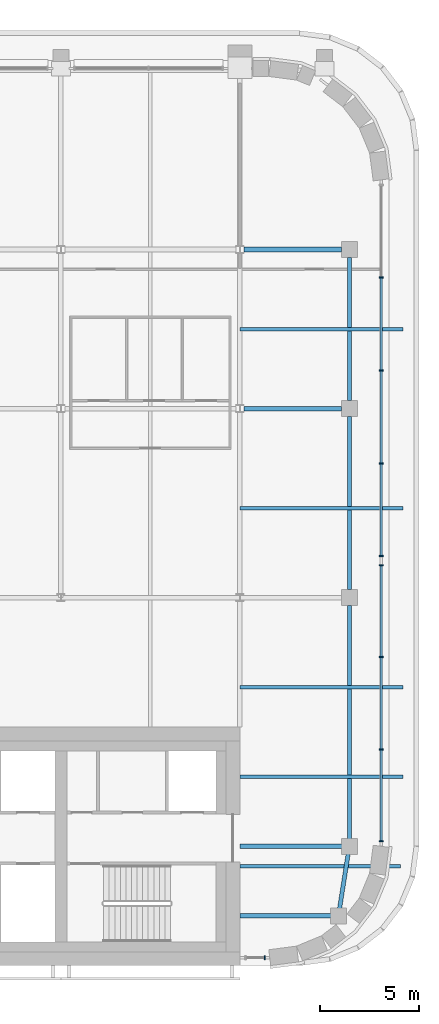
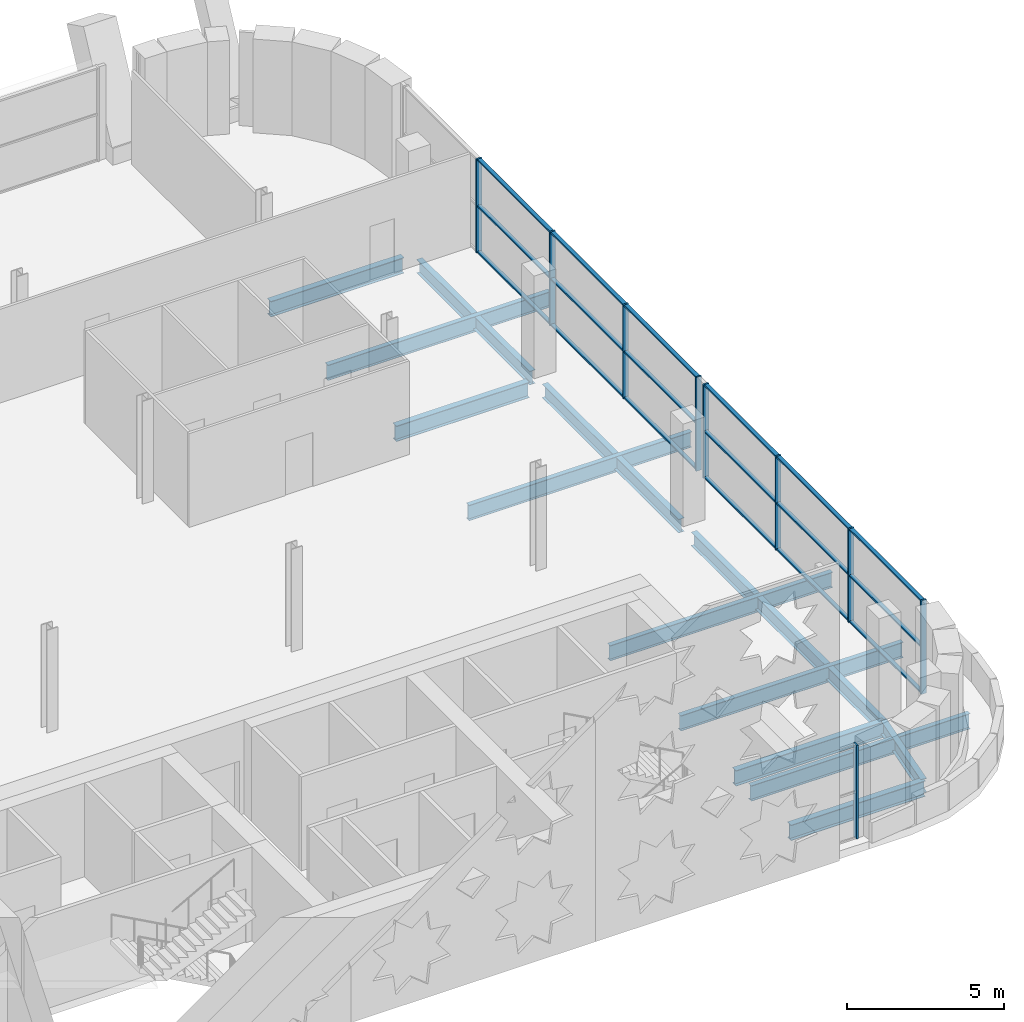
# One storey, part 12 of 25: 27 members, 13 beams, 3 elements without a shape of their own.
"""IFC4 building model written with IfcOpenShell, lengths in metres."""

from ifc_helpers import new_model, si_unit, direction, frame, origin, origin_2d, place, context, subcontext, project, spatial, rectangle, i_section, extrude, material, material_profile, profile_set, type_object, element, aggregate, save


model = new_model("IFC4")

# Units and contexts
model_context = context("Model", 3, precision=1e-05, world=origin(), true_north=direction((0.0, 1.0)))
body_context = subcontext(model_context, "Body", "Model", "MODEL_VIEW")
ifc_project = project(units=[si_unit("LENGTHUNIT", "METRE"), si_unit("AREAUNIT", "SQUARE_METRE"), si_unit("VOLUMEUNIT", "CUBIC_METRE"), si_unit("PLANEANGLEUNIT", "RADIAN"), si_unit("MASSUNIT", "GRAM", prefix="KILO")], contexts=[model_context])

# Site, building, storey
site_placement = place(None, origin())
site = spatial("IfcSite", under=ifc_project, at=site_placement, CompositionType="ELEMENT")
building_placement = place(site_placement, origin())
building = spatial("IfcBuilding", under=site, at=building_placement, Name="Zellij Exchange Tower", CompositionType="ELEMENT")
storey_placement = place(building_placement, frame((0.0, 0.0, 264.5)))
storey = spatial("IfcBuildingStorey", under=building, at=storey_placement, Name="L62", CompositionType="ELEMENT", Elevation=264.5)

# Curtain wall, member
ifc_material_1 = material(Name="Aluminium frame, clear insulating glass", Category="aluminium")
curtain_wall_type = type_object("IfcCurtainWallType", Name="ENV-CW6 Sky-lobby glazing", PredefinedType="NOTDEFINED", material=ifc_material_1)
curtain_wall_1_placement = place(storey_placement, origin())
curtain_wall_1 = element("IfcCurtainWall", 1, at=curtain_wall_1_placement, inside=storey, type_object=curtain_wall_type, Name="cw.L62.00b", PredefinedType="NOTDEFINED")
ifc_material_2 = material(Name="Aluminium", Category="aluminium")
ifc_material_profile_1 = material_profile(ifc_material_2, rectangle(XDim=0.06005859375, YDim=0.199951171875, at=origin_2d()), Name="AL 60x200")
ifc_profile_set_1 = profile_set([ifc_material_profile_1], Name="Aluminium")
member_type_1 = type_object("IfcMemberType", Name="ENV-CW6M Mullion 60x200", PredefinedType="MULLION", material=ifc_profile_set_1)
member_1_placement = place(storey_placement, frame((28.243896484375, -13.60009765625, 0.0), z_axis=(0.0, 0.0, 1.0), x_axis=(1.0, 0.0, 0.0)))
member_1 = element("IfcMember", 2, at=member_1_placement, type_object=member_type_1, Name="CW6 mullion 2", PredefinedType="MULLION", context=body_context, shape_type="SweptSolid", body=[
    extrude(rectangle(XDim=0.06005859375, YDim=0.199951171875, at=origin_2d()), origin(), (0.0, 0.0, 1.0), 3.64990234375),
])
aggregate(curtain_wall_1, [member_1])

# Curtain wall, members
curtain_wall_2_placement = place(storey_placement, origin())
curtain_wall_2 = element("IfcCurtainWall", 3, at=curtain_wall_2_placement, inside=storey, type_object=curtain_wall_type, Name="cw.L62.07a", PredefinedType="NOTDEFINED")
member_2_placement = place(storey_placement, frame((34.10009765625, -7.743896484375, 0.0), z_axis=(0.0, 0.0, 1.0), x_axis=(0.0, 1.0, 0.0)))
member_2 = element("IfcMember", 4, at=member_2_placement, type_object=member_type_1, Name="CW6 mullion 1", PredefinedType="MULLION", context=body_context, shape_type="SweptSolid", body=[
    extrude(rectangle(XDim=0.06005859375, YDim=0.199951171875, at=origin_2d()), origin(), (0.0, 0.0, 1.0), 3.64990234375),
])
member_3_placement = place(storey_placement, frame((34.10009765625, -3.12890625, 0.0), z_axis=(0.0, 0.0, 1.0), x_axis=(0.0, 1.0, 0.0)))
member_3 = element("IfcMember", 5, at=member_3_placement, type_object=member_type_1, Name="CW6 mullion 2", PredefinedType="MULLION", context=body_context, shape_type="SweptSolid", body=[
    extrude(rectangle(XDim=0.06005859375, YDim=0.199951171875, at=origin_2d()), origin(), (0.0, 0.0, 1.0), 3.64990234375),
])
member_4_placement = place(storey_placement, frame((34.10009765625, 1.51611328125, 0.0), z_axis=(0.0, 0.0, 1.0), x_axis=(0.0, 1.0, 0.0)))
member_4 = element("IfcMember", 6, at=member_4_placement, type_object=member_type_1, Name="CW6 mullion 3", PredefinedType="MULLION", context=body_context, shape_type="SweptSolid", body=[
    extrude(rectangle(XDim=0.06005859375, YDim=0.199951171875, at=origin_2d()), origin(), (0.0, 0.0, 1.0), 3.64990234375),
])
member_5_placement = place(storey_placement, frame((34.10009765625, 6.130859375, 0.0), z_axis=(0.0, 0.0, 1.0), x_axis=(0.0, 1.0, 0.0)))
member_5 = element("IfcMember", 7, at=member_5_placement, type_object=member_type_1, Name="CW6 mullion 4", PredefinedType="MULLION", context=body_context, shape_type="SweptSolid", body=[
    extrude(rectangle(XDim=0.06005859375, YDim=0.199951171875, at=origin_2d()), origin(), (0.0, 0.0, 1.0), 3.64990234375),
])

curtain_wall_3_placement = place(storey_placement, origin())
curtain_wall_3 = element("IfcCurtainWall", 8, at=curtain_wall_3_placement, inside=storey, type_object=curtain_wall_type, Name="cw.L62.07b", PredefinedType="NOTDEFINED")
member_6_placement = place(storey_placement, frame((34.10009765625, 6.5908203125, 0.0), z_axis=(0.0, 0.0, 1.0), x_axis=(0.0, 1.0, 0.0)))
member_6 = element("IfcMember", 9, at=member_6_placement, type_object=member_type_1, Name="CW6 mullion 1", PredefinedType="MULLION", context=body_context, shape_type="SweptSolid", body=[
    extrude(rectangle(XDim=0.06005859375, YDim=0.199951171875, at=origin_2d()), origin(), (0.0, 0.0, 1.0), 3.64990234375),
])
member_7_placement = place(storey_placement, frame((34.10009765625, 11.239013671875, 0.0), z_axis=(0.0, 0.0, 1.0), x_axis=(0.0, 1.0, 0.0)))
member_7 = element("IfcMember", 10, at=member_7_placement, type_object=member_type_1, Name="CW6 mullion 2", PredefinedType="MULLION", context=body_context, shape_type="SweptSolid", body=[
    extrude(rectangle(XDim=0.06005859375, YDim=0.199951171875, at=origin_2d()), origin(), (0.0, 0.0, 1.0), 3.64990234375),
])
member_8_placement = place(storey_placement, frame((34.10009765625, 15.917236328125, 0.0), z_axis=(0.0, 0.0, 1.0), x_axis=(0.0, 1.0, 0.0)))
member_8 = element("IfcMember", 11, at=member_8_placement, type_object=member_type_1, Name="CW6 mullion 3", PredefinedType="MULLION", context=body_context, shape_type="SweptSolid", body=[
    extrude(rectangle(XDim=0.06005859375, YDim=0.199951171875, at=origin_2d()), origin(), (0.0, 0.0, 1.0), 3.64990234375),
])
member_9_placement = place(storey_placement, frame((34.10009765625, 20.595458984375, 0.0), z_axis=(0.0, 0.0, 1.0), x_axis=(0.0, 1.0, 0.0)))
member_9 = element("IfcMember", 12, at=member_9_placement, type_object=member_type_1, Name="CW6 mullion 4", PredefinedType="MULLION", context=body_context, shape_type="SweptSolid", body=[
    extrude(rectangle(XDim=0.06005859375, YDim=0.199951171875, at=origin_2d()), origin(), (0.0, 0.0, 1.0), 3.64990234375),
])

# Member
ifc_material_profile_2 = material_profile(ifc_material_2, rectangle(XDim=0.139892578125, YDim=0.06005859375, at=origin_2d()), Name="AL 140x60")
ifc_profile_set_2 = profile_set([ifc_material_profile_2], Name="Aluminium")
member_type_2 = type_object("IfcMemberType", Name="ENV-CW6T Transom 140x60", PredefinedType="USERDEFINED", material=ifc_profile_set_2)
member_10_placement = place(storey_placement, frame((34.10009765625, -7.7138671875, 0.030029296875), z_axis=(0.0, 1.0, 0.0), x_axis=(-1.0, 0.0, 0.0)))
member_10 = element("IfcMember", 13, at=member_10_placement, type_object=member_type_2, Name="CW6 transom 1.1", ObjectType="TRANSOM", PredefinedType="USERDEFINED", context=body_context, shape_type="SweptSolid", body=[
    extrude(rectangle(XDim=0.139892578125, YDim=0.06005859375, at=origin_2d()), origin(), (0.0, 0.0, 1.0), 4.554931640625),
])

member_11_placement = place(storey_placement, frame((34.10009765625, -7.7138671875, 1.824951171875), z_axis=(0.0, 1.0, 0.0), x_axis=(-1.0, 0.0, 0.0)))
member_11 = element("IfcMember", 14, at=member_11_placement, type_object=member_type_2, Name="CW6 transom 1.2", ObjectType="TRANSOM", PredefinedType="USERDEFINED", context=body_context, shape_type="SweptSolid", body=[
    extrude(rectangle(XDim=0.139892578125, YDim=0.06005859375, at=origin_2d()), origin(), (0.0, 0.0, 1.0), 4.554931640625),
])

member_12_placement = place(storey_placement, frame((34.10009765625, -7.7138671875, 3.6201171875), z_axis=(0.0, 1.0, 0.0), x_axis=(-1.0, 0.0, 0.0)))
member_12 = element("IfcMember", 15, at=member_12_placement, type_object=member_type_2, Name="CW6 transom 1.3", ObjectType="TRANSOM", PredefinedType="USERDEFINED", context=body_context, shape_type="SweptSolid", body=[
    extrude(rectangle(XDim=0.139892578125, YDim=0.06005859375, at=origin_2d()), origin(), (0.0, 0.0, 1.0), 4.554931640625),
])

member_13_placement = place(storey_placement, frame((34.10009765625, -3.098876953125, 0.030029296875), z_axis=(0.0, 1.0, 0.0), x_axis=(-1.0, 0.0, 0.0)))
member_13 = element("IfcMember", 16, at=member_13_placement, type_object=member_type_2, Name="CW6 transom 2.1", ObjectType="TRANSOM", PredefinedType="USERDEFINED", context=body_context, shape_type="SweptSolid", body=[
    extrude(rectangle(XDim=0.139892578125, YDim=0.06005859375, at=origin_2d()), origin(), (0.0, 0.0, 1.0), 4.5849609375),
])

member_14_placement = place(storey_placement, frame((34.10009765625, -3.098876953125, 1.824951171875), z_axis=(0.0, 1.0, 0.0), x_axis=(-1.0, 0.0, 0.0)))
member_14 = element("IfcMember", 17, at=member_14_placement, type_object=member_type_2, Name="CW6 transom 2.2", ObjectType="TRANSOM", PredefinedType="USERDEFINED", context=body_context, shape_type="SweptSolid", body=[
    extrude(rectangle(XDim=0.139892578125, YDim=0.06005859375, at=origin_2d()), origin(), (0.0, 0.0, 1.0), 4.5849609375),
])

member_15_placement = place(storey_placement, frame((34.10009765625, -3.098876953125, 3.6201171875), z_axis=(0.0, 1.0, 0.0), x_axis=(-1.0, 0.0, 0.0)))
member_15 = element("IfcMember", 18, at=member_15_placement, type_object=member_type_2, Name="CW6 transom 2.3", ObjectType="TRANSOM", PredefinedType="USERDEFINED", context=body_context, shape_type="SweptSolid", body=[
    extrude(rectangle(XDim=0.139892578125, YDim=0.06005859375, at=origin_2d()), origin(), (0.0, 0.0, 1.0), 4.5849609375),
])

member_16_placement = place(storey_placement, frame((34.10009765625, 1.5458984375, 0.030029296875), z_axis=(0.0, 1.0, 0.0), x_axis=(-1.0, 0.0, 0.0)))
member_16 = element("IfcMember", 19, at=member_16_placement, type_object=member_type_2, Name="CW6 transom 3.1", ObjectType="TRANSOM", PredefinedType="USERDEFINED", context=body_context, shape_type="SweptSolid", body=[
    extrude(rectangle(XDim=0.139892578125, YDim=0.06005859375, at=origin_2d()), origin(), (0.0, 0.0, 1.0), 4.554931640625),
])

member_17_placement = place(storey_placement, frame((34.10009765625, 1.5458984375, 1.824951171875), z_axis=(0.0, 1.0, 0.0), x_axis=(-1.0, 0.0, 0.0)))
member_17 = element("IfcMember", 20, at=member_17_placement, type_object=member_type_2, Name="CW6 transom 3.2", ObjectType="TRANSOM", PredefinedType="USERDEFINED", context=body_context, shape_type="SweptSolid", body=[
    extrude(rectangle(XDim=0.139892578125, YDim=0.06005859375, at=origin_2d()), origin(), (0.0, 0.0, 1.0), 4.554931640625),
])

member_18_placement = place(storey_placement, frame((34.10009765625, 1.5458984375, 3.6201171875), z_axis=(0.0, 1.0, 0.0), x_axis=(-1.0, 0.0, 0.0)))
member_18 = element("IfcMember", 21, at=member_18_placement, type_object=member_type_2, Name="CW6 transom 3.3", ObjectType="TRANSOM", PredefinedType="USERDEFINED", context=body_context, shape_type="SweptSolid", body=[
    extrude(rectangle(XDim=0.139892578125, YDim=0.06005859375, at=origin_2d()), origin(), (0.0, 0.0, 1.0), 4.554931640625),
])

aggregate(curtain_wall_2, [member_2, member_3, member_4, member_5, member_10, member_11, member_12, member_13, member_14, member_15, member_16, member_17, member_18])

member_19_placement = place(storey_placement, frame((34.10009765625, 6.620849609375, 0.030029296875), z_axis=(0.0, 1.0, 0.0), x_axis=(-1.0, 0.0, 0.0)))
member_19 = element("IfcMember", 22, at=member_19_placement, type_object=member_type_2, Name="CW6 transom 1.1", ObjectType="TRANSOM", PredefinedType="USERDEFINED", context=body_context, shape_type="SweptSolid", body=[
    extrude(rectangle(XDim=0.139892578125, YDim=0.06005859375, at=origin_2d()), origin(), (0.0, 0.0, 1.0), 4.58837890625),
])

member_20_placement = place(storey_placement, frame((34.10009765625, 6.620849609375, 1.824951171875), z_axis=(0.0, 1.0, 0.0), x_axis=(-1.0, 0.0, 0.0)))
member_20 = element("IfcMember", 23, at=member_20_placement, type_object=member_type_2, Name="CW6 transom 1.2", ObjectType="TRANSOM", PredefinedType="USERDEFINED", context=body_context, shape_type="SweptSolid", body=[
    extrude(rectangle(XDim=0.139892578125, YDim=0.06005859375, at=origin_2d()), origin(), (0.0, 0.0, 1.0), 4.58837890625),
])

member_21_placement = place(storey_placement, frame((34.10009765625, 6.620849609375, 3.6201171875), z_axis=(0.0, 1.0, 0.0), x_axis=(-1.0, 0.0, 0.0)))
member_21 = element("IfcMember", 24, at=member_21_placement, type_object=member_type_2, Name="CW6 transom 1.3", ObjectType="TRANSOM", PredefinedType="USERDEFINED", context=body_context, shape_type="SweptSolid", body=[
    extrude(rectangle(XDim=0.139892578125, YDim=0.06005859375, at=origin_2d()), origin(), (0.0, 0.0, 1.0), 4.58837890625),
])

member_22_placement = place(storey_placement, frame((34.10009765625, 11.26904296875, 0.030029296875), z_axis=(0.0, 1.0, 0.0), x_axis=(-1.0, 0.0, 0.0)))
member_22 = element("IfcMember", 25, at=member_22_placement, type_object=member_type_2, Name="CW6 transom 2.1", ObjectType="TRANSOM", PredefinedType="USERDEFINED", context=body_context, shape_type="SweptSolid", body=[
    extrude(rectangle(XDim=0.139892578125, YDim=0.06005859375, at=origin_2d()), origin(), (0.0, 0.0, 1.0), 4.618408203125),
])

member_23_placement = place(storey_placement, frame((34.10009765625, 11.26904296875, 1.824951171875), z_axis=(0.0, 1.0, 0.0), x_axis=(-1.0, 0.0, 0.0)))
member_23 = element("IfcMember", 26, at=member_23_placement, type_object=member_type_2, Name="CW6 transom 2.2", ObjectType="TRANSOM", PredefinedType="USERDEFINED", context=body_context, shape_type="SweptSolid", body=[
    extrude(rectangle(XDim=0.139892578125, YDim=0.06005859375, at=origin_2d()), origin(), (0.0, 0.0, 1.0), 4.618408203125),
])

member_24_placement = place(storey_placement, frame((34.10009765625, 11.26904296875, 3.6201171875), z_axis=(0.0, 1.0, 0.0), x_axis=(-1.0, 0.0, 0.0)))
member_24 = element("IfcMember", 27, at=member_24_placement, type_object=member_type_2, Name="CW6 transom 2.3", ObjectType="TRANSOM", PredefinedType="USERDEFINED", context=body_context, shape_type="SweptSolid", body=[
    extrude(rectangle(XDim=0.139892578125, YDim=0.06005859375, at=origin_2d()), origin(), (0.0, 0.0, 1.0), 4.618408203125),
])

member_25_placement = place(storey_placement, frame((34.10009765625, 15.947265625, 0.030029296875), z_axis=(0.0, 1.0, 0.0), x_axis=(-1.0, 0.0, 0.0)))
member_25 = element("IfcMember", 28, at=member_25_placement, type_object=member_type_2, Name="CW6 transom 3.1", ObjectType="TRANSOM", PredefinedType="USERDEFINED", context=body_context, shape_type="SweptSolid", body=[
    extrude(rectangle(XDim=0.139892578125, YDim=0.06005859375, at=origin_2d()), origin(), (0.0, 0.0, 1.0), 4.618408203125),
])

member_26_placement = place(storey_placement, frame((34.10009765625, 15.947265625, 1.824951171875), z_axis=(0.0, 1.0, 0.0), x_axis=(-1.0, 0.0, 0.0)))
member_26 = element("IfcMember", 29, at=member_26_placement, type_object=member_type_2, Name="CW6 transom 3.2", ObjectType="TRANSOM", PredefinedType="USERDEFINED", context=body_context, shape_type="SweptSolid", body=[
    extrude(rectangle(XDim=0.139892578125, YDim=0.06005859375, at=origin_2d()), origin(), (0.0, 0.0, 1.0), 4.618408203125),
])

member_27_placement = place(storey_placement, frame((34.10009765625, 15.947265625, 3.6201171875), z_axis=(0.0, 1.0, 0.0), x_axis=(-1.0, 0.0, 0.0)))
member_27 = element("IfcMember", 30, at=member_27_placement, type_object=member_type_2, Name="CW6 transom 3.3", ObjectType="TRANSOM", PredefinedType="USERDEFINED", context=body_context, shape_type="SweptSolid", body=[
    extrude(rectangle(XDim=0.139892578125, YDim=0.06005859375, at=origin_2d()), origin(), (0.0, 0.0, 1.0), 4.618408203125),
])

aggregate(curtain_wall_3, [member_6, member_7, member_8, member_9, member_19, member_20, member_21, member_22, member_23, member_24, member_25, member_26, member_27])

# Beams
ifc_material_3 = material(Name="Structural steel ASTM A992 Gr 50", Category="steel")
ifc_material_profile_3 = material_profile(ifc_material_3, i_section(OverallWidth=0.177978515625, OverallDepth=0.599365234375, WebThickness=0.010009765625, FlangeThickness=0.012939453125, at=origin_2d()), Name="W24x55")
ifc_profile_set_3 = profile_set([ifc_material_profile_3], Name="Structural steel ASTM A992 Gr 50")
beam_type_1 = type_object("IfcBeamType", Name="STR-BEAM W24x55", PredefinedType="BEAM", material=ifc_profile_set_3)
beam_1_placement = place(storey_placement, frame((27.0, -9.0, -0.599609375), z_axis=(1.0, 0.0, 0.0), x_axis=(0.0, 1.0, 0.0)))
element("IfcBeam", 31, at=beam_1_placement, inside=storey, type_object=beam_type_1, Name="B4", PredefinedType="BEAM", context=body_context, shape_type="SweptSolid", body=[
    extrude(i_section(OverallWidth=0.177978515625, OverallDepth=0.599365234375, WebThickness=0.010009765625, FlangeThickness=0.012939453125, at=origin_2d()), origin(), (0.0, 0.0, 1.0), 8.06103515625),
])
for number, where, z_axis, x_axis, name in (
    (32, (27.0, -4.5, -0.599609375), (1.0, 0.0, 0.0), (0.0, 1.0, 0.0), "B4"),
    (33, (27.0, 0.0, -0.599609375), (1.0, 0.0, 0.0), (0.0, 1.0, 0.0), "B4"),
    (34, (27.0, 9.0, -0.599609375), (1.0, 0.0, 0.0), (0.0, 1.0, 0.0), "B4"),
    (35, (27.0, 18.0, -0.599609375), (1.0, 0.0, 0.0), (0.0, 1.0, 0.0), "B4"),
):
    element("IfcBeam", number, at=place(storey_placement, frame(where, z_axis=z_axis, x_axis=x_axis)), inside=storey, type_object=beam_type_1, Name=name, PredefinedType="BEAM", context=body_context, shape_type="SweptSolid", body=[
        extrude(i_section(OverallWidth=0.177978515625, OverallDepth=0.599365234375, WebThickness=0.010009765625, FlangeThickness=0.012939453125, at=origin_2d()), origin(), (0.0, 0.0, 1.0), 8.199951171875),
    ])
ifc_material_profile_4 = material_profile(ifc_material_3, i_section(OverallWidth=0.209228515625, OverallDepth=0.533447265625, WebThickness=0.01025390625, FlangeThickness=0.015625, at=origin_2d()), Name="W21x62")
ifc_profile_set_4 = profile_set([ifc_material_profile_4], Name="Structural steel ASTM A992 Gr 50")
beam_type_2 = type_object("IfcBeamType", Name="STR-EDGE GIRDER W21x62", PredefinedType="BEAM", material=ifc_profile_set_4)
beam_2_placement = place(storey_placement, frame((31.949951171875, -11.5, -0.566650390625), z_axis=(0.155251283593, 0.987875011802, 0.0), x_axis=(-0.987875011802, 0.155251283593, 0.0)))
element("IfcBeam", 36, at=beam_2_placement, inside=storey, type_object=beam_type_2, Name="EB3", PredefinedType="BEAM", context=body_context, shape_type="SweptSolid", body=[
    extrude(i_section(OverallWidth=0.209228515625, OverallDepth=0.533447265625, WebThickness=0.01025390625, FlangeThickness=0.015625, at=origin_2d()), origin(), (0.0, 0.0, 1.0), 3.54296875),
])
beam_3_placement = place(storey_placement, frame((32.5, -8.0, -0.566650390625), z_axis=(0.0, 1.0, 0.0), x_axis=(-1.0, 0.0, 0.0)))
element("IfcBeam", 37, at=beam_3_placement, inside=storey, type_object=beam_type_2, Name="EB3", PredefinedType="BEAM", context=body_context, shape_type="SweptSolid", body=[
    extrude(i_section(OverallWidth=0.209228515625, OverallDepth=0.533447265625, WebThickness=0.01025390625, FlangeThickness=0.015625, at=origin_2d()), origin(), (0.0, 0.0, 1.0), 12.10009765625),
])
beam_4_placement = place(storey_placement, frame((32.5, 4.89990234375, -0.566650390625), z_axis=(0.0, 1.0, 0.0), x_axis=(-1.0, 0.0, 0.0)))
element("IfcBeam", 38, at=beam_4_placement, inside=storey, type_object=beam_type_2, Name="EB3", PredefinedType="BEAM", context=body_context, shape_type="SweptSolid", body=[
    extrude(i_section(OverallWidth=0.209228515625, OverallDepth=0.533447265625, WebThickness=0.01025390625, FlangeThickness=0.015625, at=origin_2d()), origin(), (0.0, 0.0, 1.0), 8.7001953125),
])
beam_5_placement = place(storey_placement, frame((32.5, 14.39990234375, -0.566650390625), z_axis=(0.0, 1.0, 0.0), x_axis=(-1.0, 0.0, 0.0)))
element("IfcBeam", 39, at=beam_5_placement, inside=storey, type_object=beam_type_2, Name="EB3", PredefinedType="BEAM", context=body_context, shape_type="SweptSolid", body=[
    extrude(i_section(OverallWidth=0.209228515625, OverallDepth=0.533447265625, WebThickness=0.01025390625, FlangeThickness=0.015625, at=origin_2d()), origin(), (0.0, 0.0, 1.0), 7.2001953125),
])
ifc_material_profile_5 = material_profile(ifc_material_3, i_section(OverallWidth=0.228271484375, OverallDepth=0.607177734375, WebThickness=0.01123046875, FlangeThickness=0.017333984375, at=origin_2d()), Name="W24x76")
ifc_profile_set_5 = profile_set([ifc_material_profile_5], Name="Structural steel ASTM A992 Gr 50")
beam_type_3 = type_object("IfcBeamType", Name="STR-GIRDER W24x76", PredefinedType="BEAM", material=ifc_profile_set_5)
beam_6_placement = place(storey_placement, frame((27.0, -11.5, -0.603515625), z_axis=(1.0, 0.0, 0.0), x_axis=(0.0, 1.0, 0.0)))
element("IfcBeam", 40, at=beam_6_placement, inside=storey, type_object=beam_type_3, Name="G2", PredefinedType="BEAM", context=body_context, shape_type="SweptSolid", body=[
    extrude(i_section(OverallWidth=0.228271484375, OverallDepth=0.607177734375, WebThickness=0.01123046875, FlangeThickness=0.017333984375, at=origin_2d()), origin(), (0.0, 0.0, 1.0), 4.949951171875),
])
beam_7_placement = place(storey_placement, frame((27.0, -8.0, -0.603515625), z_axis=(1.0, 0.0, 0.0), x_axis=(0.0, 1.0, 0.0)))
element("IfcBeam", 41, at=beam_7_placement, inside=storey, type_object=beam_type_3, Name="G2", PredefinedType="BEAM", context=body_context, shape_type="SweptSolid", body=[
    extrude(i_section(OverallWidth=0.228271484375, OverallDepth=0.607177734375, WebThickness=0.01123046875, FlangeThickness=0.017333984375, at=origin_2d()), origin(), (0.0, 0.0, 1.0), 5.5),
])
for number, where, z_axis, x_axis, name in (
    (42, (27.199462890625, 14.0, -0.603515625), (1.0, 0.0, 0.0), (0.0, 1.0, 0.0), "G2"),
    (43, (27.199462890625, 22.0, -0.603515625), (1.0, 0.0, 0.0), (0.0, 1.0, 0.0), "G2"),
):
    element("IfcBeam", number, at=place(storey_placement, frame(where, z_axis=z_axis, x_axis=x_axis)), inside=storey, type_object=beam_type_3, Name=name, PredefinedType="BEAM", context=body_context, shape_type="SweptSolid", body=[
        extrude(i_section(OverallWidth=0.228271484375, OverallDepth=0.607177734375, WebThickness=0.01123046875, FlangeThickness=0.017333984375, at=origin_2d()), origin(), (0.0, 0.0, 1.0), 4.900634765625),
    ])

save(model, "model.ifc")
